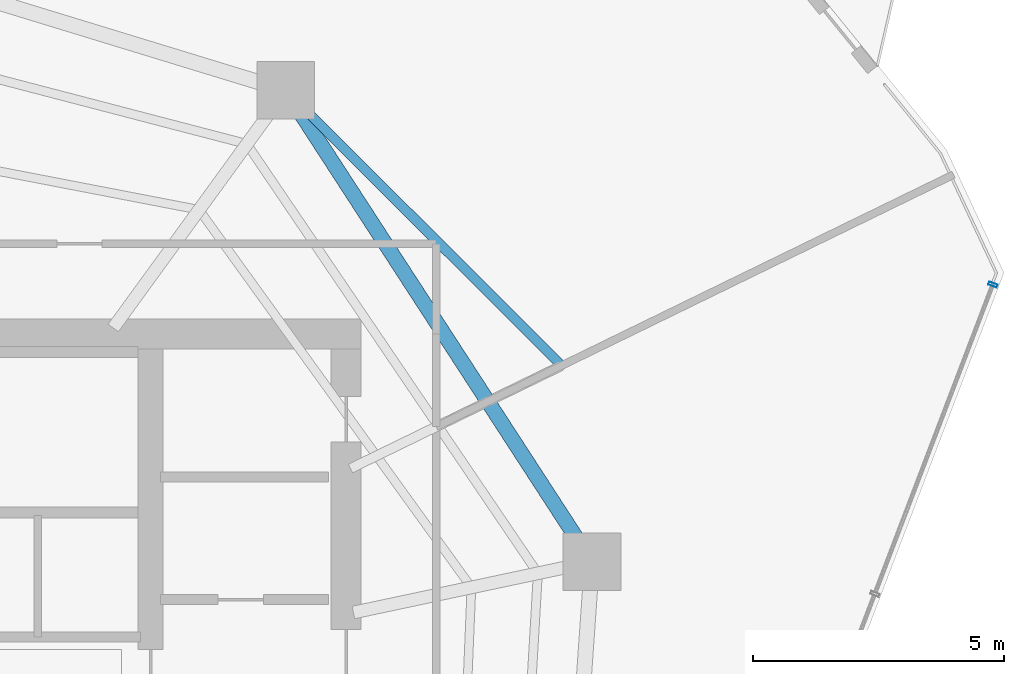
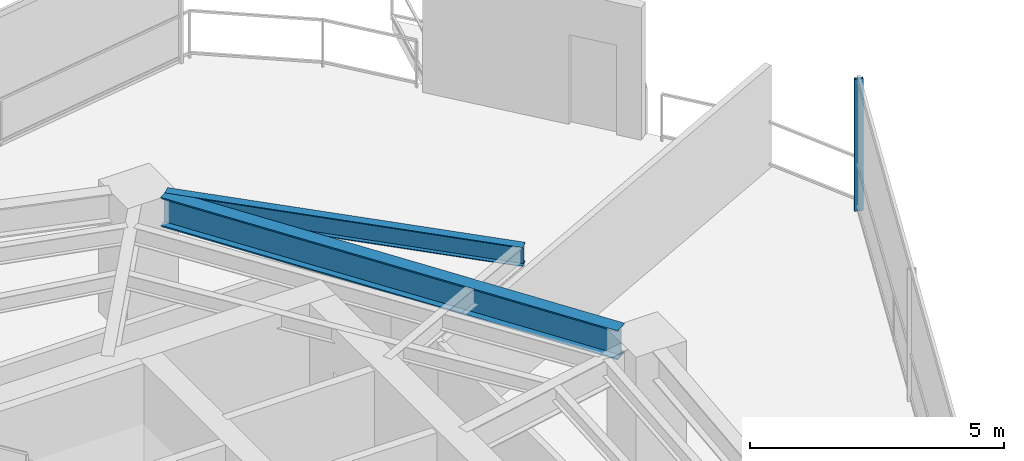
# One storey, part 21 of 27: 2 beams, 1 member, 1 element without a shape of its own.
"""IFC4 building model written with IfcOpenShell, lengths in metres."""

from ifc_helpers import new_model, si_unit, direction, frame, origin, origin_2d, place, context, subcontext, project, spatial, hollow_rectangle, i_section, extrude, material, layer, layer_set, material_profile, profile_set, type_object, element, aggregate, save


model = new_model("IFC4")

# Units and contexts
model_context = context("Model", 3, precision=1e-05, world=origin(), true_north=direction((0.0, 1.0)))
body_context = subcontext(model_context, "Body", "Model", "MODEL_VIEW")
ifc_project = project(units=[si_unit("LENGTHUNIT", "METRE"), si_unit("AREAUNIT", "SQUARE_METRE"), si_unit("VOLUMEUNIT", "CUBIC_METRE"), si_unit("PLANEANGLEUNIT", "RADIAN"), si_unit("MASSUNIT", "GRAM", prefix="KILO")], contexts=[model_context])

# Site, building, storey
site_placement = place(None, origin())
site = spatial("IfcSite", under=ifc_project, at=site_placement, CompositionType="ELEMENT")
building_placement = place(site_placement, origin())
building = spatial("IfcBuilding", under=site, at=building_placement, Name="Qarnah Convention Tower", CompositionType="ELEMENT")
storey_placement = place(building_placement, frame((0.0, 0.0, 100.5)))
storey = spatial("IfcBuildingStorey", under=building, at=storey_placement, Name="L26", CompositionType="ELEMENT", Elevation=100.5)

# Beams
ifc_material_1 = material(Name="Structural steel S355JR", Category="steel")
ifc_material_profile_1 = material_profile(ifc_material_1, i_section(OverallWidth=0.19189453125, OverallDepth=0.464111328125, WebThickness=0.010986328125, FlangeThickness=0.01806640625, at=origin_2d()), Name="W460X89")
ifc_profile_set_1 = profile_set([ifc_material_profile_1], Name="Structural steel S355JR")
beam_type_1 = type_object("IfcBeamType", Name="BM-CANT-W460A", PredefinedType="BEAM", material=ifc_profile_set_1)
beam_1_placement = place(storey_placement, frame((51.952880859375, 33.52099609375, 2.93798828125), z_axis=(-0.707978220507, 0.706234266577, 0.0), x_axis=(-0.706234266577, -0.707978220507, 0.0)))
element("IfcBeam", 1, at=beam_1_placement, inside=storey, type_object=beam_type_1, Name="L26 spandrel BM-L26-CTIE-01", PredefinedType="SPANDREL", context=body_context, shape_type="SweptSolid", body=[
    extrude(i_section(OverallWidth=0.19189453125, OverallDepth=0.464111328125, WebThickness=0.010986328125, FlangeThickness=0.01806640625, at=origin_2d()), origin(), (0.0, 0.0, 1.0), 7.279541015625),
])
ifc_material_profile_2 = material_profile(ifc_material_1, i_section(OverallWidth=0.300048828125, OverallDepth=0.699951171875, WebThickness=0.01708984375, FlangeThickness=0.031982421875, at=origin_2d()), Name="HEB700")
ifc_profile_set_2 = profile_set([ifc_material_profile_2], Name="Structural steel S355JR")
beam_type_2 = type_object("IfcBeamType", Name="BM-RING-HEB700", PredefinedType="BEAM", material=ifc_profile_set_2)
beam_2_placement = place(storey_placement, frame((52.199951171875, 30.1279296875, 2.820068359375), z_axis=(-0.544610528714, 0.838689079465, 0.0), x_axis=(-0.838689079465, -0.544610528714, 0.0)))
element("IfcBeam", 2, at=beam_2_placement, inside=storey, type_object=beam_type_2, Name="L26 beam BM-L26-SPN-01", PredefinedType="BEAM", context=body_context, shape_type="SweptSolid", body=[
    extrude(i_section(OverallWidth=0.300048828125, OverallDepth=0.699951171875, WebThickness=0.01708984375, FlangeThickness=0.031982421875, at=origin_2d()), origin(), (0.0, 0.0, 1.0), 10.0859375),
])

# Curtain wall, member
ifc_material_2 = material(Name="Tempered Low-E dark glass", Category="glass")
ifc_layer = layer(ifc_material_2, 0.169921875)
ifc_layer_set = layer_set([ifc_layer], Name="Tempered Low-E dark glass")
curtain_wall_type = type_object("IfcCurtainWallType", Name="CWS-02", PredefinedType="NOTDEFINED", material=ifc_layer_set)
curtain_wall_placement = place(storey_placement, origin())
curtain_wall = element("IfcCurtainWall", 3, at=curtain_wall_placement, inside=storey, type_object=curtain_wall_type, Name="L26 unitised curtain wall CW-L26-F1", PredefinedType="NOTDEFINED")
ifc_material_3 = material(Name="Black anodised aluminium", Category="aluminium")
ifc_material_profile_3 = material_profile(ifc_material_3, hollow_rectangle(XDim=0.06494140625, YDim=0.179931640625, WallThickness=0.00390625, at=origin_2d()), Name="MUL-65X180")
ifc_profile_set_3 = profile_set([ifc_material_profile_3], Name="Black anodised aluminium")
member_type = type_object("IfcMemberType", Name="MUL-T2", PredefinedType="MULLION", material=ifc_profile_set_3)
member_placement = place(storey_placement, frame((60.511962890625, 35.18505859375, 0.0), z_axis=(0.0, 0.0, 1.0), x_axis=(-0.356401833509, -0.934332774268, 0.0)))
member = element("IfcMember", 4, at=member_placement, type_object=member_type, Name="CW-L26-F1 mullion 1", PredefinedType="MULLION", context=body_context, shape_type="SweptSolid", body=[
    extrude(hollow_rectangle(XDim=0.06494140625, YDim=0.179931640625, WallThickness=0.00390625, at=origin_2d()), origin(), (0.0, 0.0, 1.0), 3.169921875),
])
aggregate(curtain_wall, [member])

save(model, "model.ifc")
